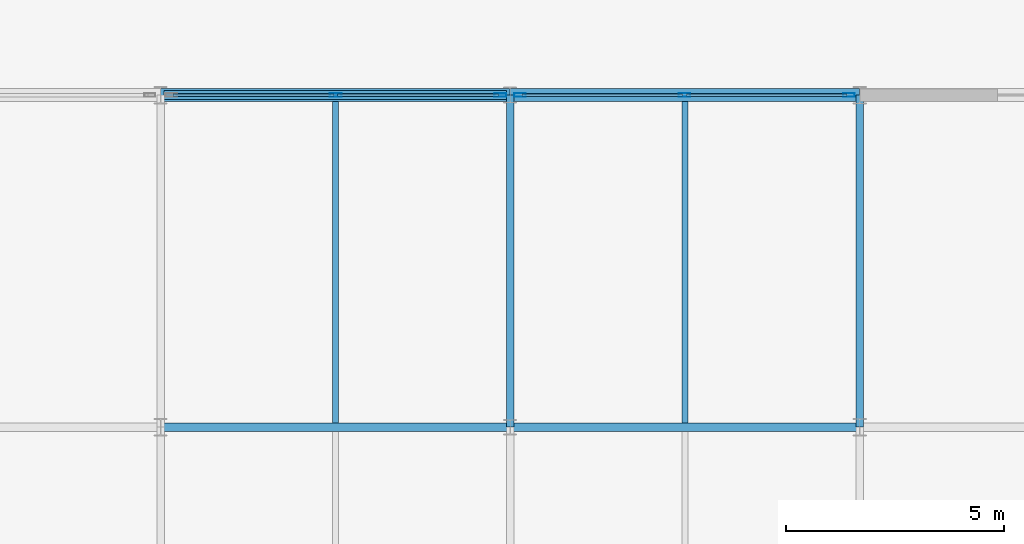
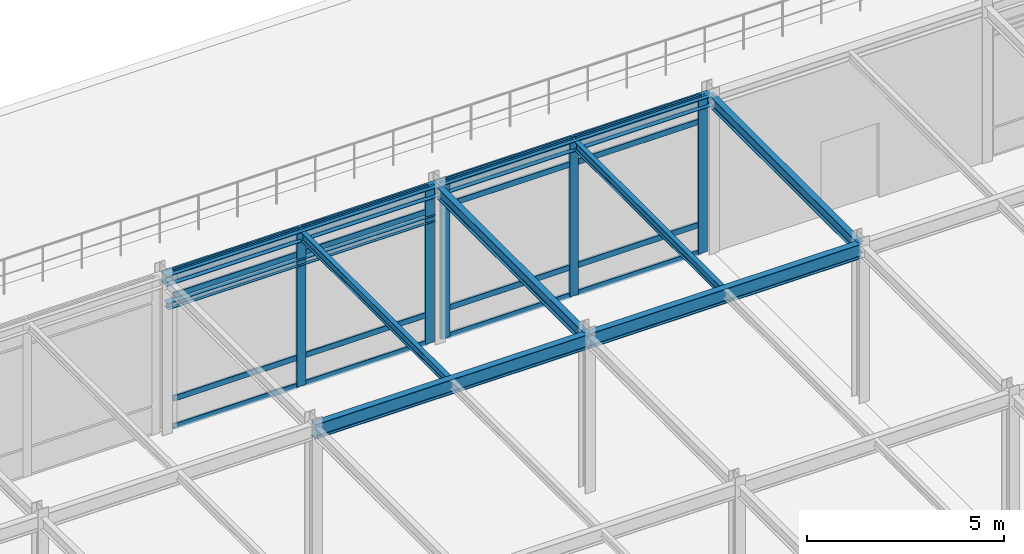
# One storey, part 42 of 79: 21 members, 9 beams, 2 elements without a shape of their own.
"""IFC4 building model written with IfcOpenShell, lengths in metres."""

from ifc_helpers import new_model, si_unit, direction, frame, origin, origin_2d, place, context, subcontext, project, spatial, hollow_rectangle, i_section, extrude, material, layer, layer_set, material_profile, profile_set, type_object, element, aggregate, save


model = new_model("IFC4")

# Units and contexts
model_context = context("Model", 3, precision=1e-05, world=origin(), true_north=direction((0.0, 1.0)))
body_context = subcontext(model_context, "Body", "Model", "MODEL_VIEW")
ifc_project = project(units=[si_unit("LENGTHUNIT", "METRE"), si_unit("AREAUNIT", "SQUARE_METRE"), si_unit("VOLUMEUNIT", "CUBIC_METRE"), si_unit("PLANEANGLEUNIT", "RADIAN"), si_unit("MASSUNIT", "GRAM", prefix="KILO")], contexts=[model_context])

# Site, building, storey
site_placement = place(None, origin())
site = spatial("IfcSite", under=ifc_project, at=site_placement, CompositionType="ELEMENT")
building_placement = place(site_placement, origin())
building = spatial("IfcBuilding", under=site, at=building_placement, Name="Shalkamar Park Central Library", CompositionType="ELEMENT")
storey_placement = place(building_placement, frame((0.0, 0.0, 10.5)))
storey = spatial("IfcBuildingStorey", under=building, at=storey_placement, Name="L03", CompositionType="ELEMENT", Elevation=10.5)

# Beams
ifc_material_1 = material(Name="Steel S355", Category="steel")
ifc_material_profile_1 = material_profile(ifc_material_1, i_section(OverallWidth=0.135009765625, OverallDepth=0.27001953125, WebThickness=0.006591796875, FlangeThickness=0.01025390625, FilletRadius=0.014892578125, at=origin_2d()), Name="IPE 270")
ifc_profile_set_1 = profile_set([ifc_material_profile_1], Name="Steel S355")
beam_type_1 = type_object("IfcBeamType", Name="Composite Floor Joist IPE270", PredefinedType="JOIST", material=ifc_profile_set_1)
for number, where, z_axis, x_axis, name in (
    (1, (217.0, 316.093017578125, 4.705078125), (0.0, 1.0, 0.0), (-1.0, 0.0, 0.0), "Composite Joist 13/L-1 (L03)"),
    (2, (225.0, 316.093017578125, 4.705078125), (0.0, 1.0, 0.0), (-1.0, 0.0, 0.0), "Composite Joist 14/L-1 (L03)"),
):
    element("IfcBeam", number, at=place(storey_placement, frame(where, z_axis=z_axis, x_axis=x_axis)), inside=storey, type_object=beam_type_1, Name=name, PredefinedType="JOIST", context=body_context, shape_type="SweptSolid", body=[
        extrude(i_section(OverallWidth=0.135009765625, OverallDepth=0.27001953125, WebThickness=0.006591796875, FlangeThickness=0.01025390625, FilletRadius=0.014892578125, at=origin_2d()), origin(), (0.0, 0.0, 1.0), 7.35888671875),
    ])

# Curtain wall, members
ifc_material_2 = material(Name="Thermally broken aluminium and triple low-e curtain wall", Category="aluminium")
ifc_layer_1 = layer(ifc_material_2, 0.27001953125)
ifc_layer_set_1 = layer_set([ifc_layer_1], Name="UnitisedCurtainWall_42")
curtain_wall_type_1 = type_object("IfcCurtainWallType", Name="Unitised Curtain Wall 42", PredefinedType="USERDEFINED", material=ifc_layer_set_1)
curtain_wall_1_placement = place(storey_placement, origin())
curtain_wall_1 = element("IfcCurtainWall", 3, at=curtain_wall_1_placement, inside=storey, type_object=curtain_wall_type_1, Name="Unitised Curtain Wall CW-L03-054", ObjectType="UNITISED CURTAIN WALL", PredefinedType="USERDEFINED")
ifc_material_3 = material(Name="Aluminium 6060-T66", Category="aluminium")
ifc_material_profile_2 = material_profile(ifc_material_3, hollow_rectangle(XDim=0.080078125, YDim=0.27001953125, WallThickness=0.0048828125, InnerFilletRadius=0.0048828125, OuterFilletRadius=0.007568359375, at=origin_2d()), Name="ALU 80x270x5")
ifc_profile_set_2 = profile_set([ifc_material_profile_2], Name="Aluminium 6060-T66")
member_type_1 = type_object("IfcMemberType", Name="Curtain Wall Mullion ALU80x270", PredefinedType="MULLION", material=ifc_profile_set_2)
member_1_placement = place(storey_placement, frame((217.010009765625, 323.60009765625, 0.0), z_axis=(0.0, 0.0, 1.0), x_axis=(0.0, 1.0, 0.0)))
member_1 = element("IfcMember", 4, at=member_1_placement, type_object=member_type_1, Name="CW-42 mullion 2", PredefinedType="MULLION", context=body_context, shape_type="SweptSolid", body=[
    extrude(hollow_rectangle(XDim=0.080078125, YDim=0.27001953125, WallThickness=0.0048828125, InnerFilletRadius=0.0048828125, OuterFilletRadius=0.007568359375, at=origin_2d()), origin(), (0.0, 0.0, 1.0), 4.840087890625),
])
member_2_placement = place(storey_placement, frame((220.77587890625, 323.60009765625, 0.0), z_axis=(0.0, 0.0, 1.0), x_axis=(0.0, 1.0, 0.0)))
member_2 = element("IfcMember", 5, at=member_2_placement, type_object=member_type_1, Name="CW-42 mullion 3", PredefinedType="MULLION", context=body_context, shape_type="SweptSolid", body=[
    extrude(hollow_rectangle(XDim=0.080078125, YDim=0.27001953125, WallThickness=0.0048828125, InnerFilletRadius=0.0048828125, OuterFilletRadius=0.007568359375, at=origin_2d()), origin(), (0.0, 0.0, 1.0), 4.840087890625),
])

ifc_layer_2 = layer(ifc_material_2, 0.264892578125)
ifc_layer_set_2 = layer_set([ifc_layer_2], Name="UnitisedCurtainWall_40")
curtain_wall_type_2 = type_object("IfcCurtainWallType", Name="Unitised Curtain Wall 40", PredefinedType="USERDEFINED", material=ifc_layer_set_2)
curtain_wall_2_placement = place(storey_placement, origin())
curtain_wall_2 = element("IfcCurtainWall", 6, at=curtain_wall_2_placement, inside=storey, type_object=curtain_wall_type_2, Name="Unitised Curtain Wall CW-L03-055", ObjectType="UNITISED CURTAIN WALL", PredefinedType="USERDEFINED")
ifc_material_profile_3 = material_profile(ifc_material_3, hollow_rectangle(XDim=0.0849609375, YDim=0.264892578125, WallThickness=0.0048828125, InnerFilletRadius=0.0048828125, OuterFilletRadius=0.007568359375, at=origin_2d()), Name="ALU 85x265x5")
ifc_profile_set_3 = profile_set([ifc_material_profile_3], Name="Aluminium 6060-T66")
member_type_2 = type_object("IfcMemberType", Name="Curtain Wall Mullion ALU85x265", PredefinedType="MULLION", material=ifc_profile_set_3)
member_3_placement = place(storey_placement, frame((221.2265625, 323.60009765625, 0.0), z_axis=(0.0, 0.0, 1.0), x_axis=(0.0, 1.0, 0.0)))
member_3 = element("IfcMember", 7, at=member_3_placement, type_object=member_type_2, Name="CW-40 mullion 1", PredefinedType="MULLION", context=body_context, shape_type="SweptSolid", body=[
    extrude(hollow_rectangle(XDim=0.0849609375, YDim=0.264892578125, WallThickness=0.0048828125, InnerFilletRadius=0.0048828125, OuterFilletRadius=0.007568359375, at=origin_2d()), origin(), (0.0, 0.0, 1.0), 4.840087890625),
])
member_4_placement = place(storey_placement, frame((224.989990234375, 323.60009765625, 0.0), z_axis=(0.0, 0.0, 1.0), x_axis=(0.0, 1.0, 0.0)))
member_4 = element("IfcMember", 8, at=member_4_placement, type_object=member_type_2, Name="CW-40 mullion 2", PredefinedType="MULLION", context=body_context, shape_type="SweptSolid", body=[
    extrude(hollow_rectangle(XDim=0.0849609375, YDim=0.264892578125, WallThickness=0.0048828125, InnerFilletRadius=0.0048828125, OuterFilletRadius=0.007568359375, at=origin_2d()), origin(), (0.0, 0.0, 1.0), 4.840087890625),
])
member_5_placement = place(storey_placement, frame((228.75341796875, 323.60009765625, 0.0), z_axis=(0.0, 0.0, 1.0), x_axis=(0.0, 1.0, 0.0)))
member_5 = element("IfcMember", 9, at=member_5_placement, type_object=member_type_2, Name="CW-40 mullion 3", PredefinedType="MULLION", context=body_context, shape_type="SweptSolid", body=[
    extrude(hollow_rectangle(XDim=0.0849609375, YDim=0.264892578125, WallThickness=0.0048828125, InnerFilletRadius=0.0048828125, OuterFilletRadius=0.007568359375, at=origin_2d()), origin(), (0.0, 0.0, 1.0), 4.840087890625),
])

# Member
ifc_material_profile_4 = material_profile(ifc_material_3, hollow_rectangle(XDim=0.06494140625, YDim=0.175048828125, WallThickness=0.00439453125, InnerFilletRadius=0.00439453125, OuterFilletRadius=0.0068359375, at=origin_2d()), Name="ALU 65x175x4.5")
ifc_profile_set_4 = profile_set([ifc_material_profile_4], Name="Aluminium 6060-T66")
member_type_3 = type_object("IfcMemberType", Name="Curtain Wall Transom ALU65x175", PredefinedType="USERDEFINED", material=ifc_profile_set_4)
member_6_placement = place(storey_placement, frame((213.283935546875, 323.60009765625, 0.032470703125), z_axis=(1.0, 0.0, 0.0), x_axis=(0.0, 1.0, 0.0)))
member_6 = element("IfcMember", 10, at=member_6_placement, type_object=member_type_3, Name="CW-42 transom 1.1", ObjectType="TRANSOM", PredefinedType="USERDEFINED", context=body_context, shape_type="SweptSolid", body=[
    extrude(hollow_rectangle(XDim=0.06494140625, YDim=0.175048828125, WallThickness=0.00439453125, InnerFilletRadius=0.00439453125, OuterFilletRadius=0.0068359375, at=origin_2d()), origin(), (0.0, 0.0, 1.0), 3.68603515625),
])

member_7_placement = place(storey_placement, frame((213.283935546875, 323.60009765625, 0.89990234375), z_axis=(1.0, 0.0, 0.0), x_axis=(0.0, 1.0, 0.0)))
member_7 = element("IfcMember", 11, at=member_7_placement, type_object=member_type_3, Name="CW-42 transom 1.2", ObjectType="TRANSOM", PredefinedType="USERDEFINED", context=body_context, shape_type="SweptSolid", body=[
    extrude(hollow_rectangle(XDim=0.06494140625, YDim=0.175048828125, WallThickness=0.00439453125, InnerFilletRadius=0.00439453125, OuterFilletRadius=0.0068359375, at=origin_2d()), origin(), (0.0, 0.0, 1.0), 3.68603515625),
])

member_8_placement = place(storey_placement, frame((213.283935546875, 323.60009765625, 4.090087890625), z_axis=(1.0, 0.0, 0.0), x_axis=(0.0, 1.0, 0.0)))
member_8 = element("IfcMember", 12, at=member_8_placement, type_object=member_type_3, Name="CW-42 transom 1.3", ObjectType="TRANSOM", PredefinedType="USERDEFINED", context=body_context, shape_type="SweptSolid", body=[
    extrude(hollow_rectangle(XDim=0.06494140625, YDim=0.175048828125, WallThickness=0.00439453125, InnerFilletRadius=0.00439453125, OuterFilletRadius=0.0068359375, at=origin_2d()), origin(), (0.0, 0.0, 1.0), 3.68603515625),
])

member_9_placement = place(storey_placement, frame((213.283935546875, 323.60009765625, 4.8076171875), z_axis=(1.0, 0.0, 0.0), x_axis=(0.0, 1.0, 0.0)))
member_9 = element("IfcMember", 13, at=member_9_placement, type_object=member_type_3, Name="CW-42 transom 1.4", ObjectType="TRANSOM", PredefinedType="USERDEFINED", context=body_context, shape_type="SweptSolid", body=[
    extrude(hollow_rectangle(XDim=0.06494140625, YDim=0.175048828125, WallThickness=0.00439453125, InnerFilletRadius=0.00439453125, OuterFilletRadius=0.0068359375, at=origin_2d()), origin(), (0.0, 0.0, 1.0), 3.68603515625),
])

member_10_placement = place(storey_placement, frame((217.050048828125, 323.60009765625, 0.032470703125), z_axis=(1.0, 0.0, 0.0), x_axis=(0.0, 1.0, 0.0)))
member_10 = element("IfcMember", 14, at=member_10_placement, type_object=member_type_3, Name="CW-42 transom 2.1", ObjectType="TRANSOM", PredefinedType="USERDEFINED", context=body_context, shape_type="SweptSolid", body=[
    extrude(hollow_rectangle(XDim=0.06494140625, YDim=0.175048828125, WallThickness=0.00439453125, InnerFilletRadius=0.00439453125, OuterFilletRadius=0.0068359375, at=origin_2d()), origin(), (0.0, 0.0, 1.0), 3.68603515625),
])

member_11_placement = place(storey_placement, frame((217.050048828125, 323.60009765625, 0.89990234375), z_axis=(1.0, 0.0, 0.0), x_axis=(0.0, 1.0, 0.0)))
member_11 = element("IfcMember", 15, at=member_11_placement, type_object=member_type_3, Name="CW-42 transom 2.2", ObjectType="TRANSOM", PredefinedType="USERDEFINED", context=body_context, shape_type="SweptSolid", body=[
    extrude(hollow_rectangle(XDim=0.06494140625, YDim=0.175048828125, WallThickness=0.00439453125, InnerFilletRadius=0.00439453125, OuterFilletRadius=0.0068359375, at=origin_2d()), origin(), (0.0, 0.0, 1.0), 3.68603515625),
])

member_12_placement = place(storey_placement, frame((217.050048828125, 323.60009765625, 4.090087890625), z_axis=(1.0, 0.0, 0.0), x_axis=(0.0, 1.0, 0.0)))
member_12 = element("IfcMember", 16, at=member_12_placement, type_object=member_type_3, Name="CW-42 transom 2.3", ObjectType="TRANSOM", PredefinedType="USERDEFINED", context=body_context, shape_type="SweptSolid", body=[
    extrude(hollow_rectangle(XDim=0.06494140625, YDim=0.175048828125, WallThickness=0.00439453125, InnerFilletRadius=0.00439453125, OuterFilletRadius=0.0068359375, at=origin_2d()), origin(), (0.0, 0.0, 1.0), 3.68603515625),
])

member_13_placement = place(storey_placement, frame((217.050048828125, 323.60009765625, 4.8076171875), z_axis=(1.0, 0.0, 0.0), x_axis=(0.0, 1.0, 0.0)))
member_13 = element("IfcMember", 17, at=member_13_placement, type_object=member_type_3, Name="CW-42 transom 2.4", ObjectType="TRANSOM", PredefinedType="USERDEFINED", context=body_context, shape_type="SweptSolid", body=[
    extrude(hollow_rectangle(XDim=0.06494140625, YDim=0.175048828125, WallThickness=0.00439453125, InnerFilletRadius=0.00439453125, OuterFilletRadius=0.0068359375, at=origin_2d()), origin(), (0.0, 0.0, 1.0), 3.68603515625),
])

aggregate(curtain_wall_1, [member_1, member_2, member_6, member_7, member_8, member_9, member_10, member_11, member_12, member_13])

ifc_material_profile_5 = material_profile(ifc_material_3, hollow_rectangle(XDim=0.070068359375, YDim=0.179931640625, WallThickness=0.00439453125, InnerFilletRadius=0.00439453125, OuterFilletRadius=0.0068359375, at=origin_2d()), Name="ALU 70x180x4.5")
ifc_profile_set_5 = profile_set([ifc_material_profile_5], Name="Aluminium 6060-T66")
member_type_4 = type_object("IfcMemberType", Name="Curtain Wall Transom ALU70x180", PredefinedType="USERDEFINED", material=ifc_profile_set_5)
member_14_placement = place(storey_placement, frame((221.26904296875, 323.60009765625, 0.034912109375), z_axis=(1.0, 0.0, 0.0), x_axis=(0.0, 1.0, 0.0)))
member_14 = element("IfcMember", 18, at=member_14_placement, type_object=member_type_4, Name="CW-40 transom 1.1", ObjectType="TRANSOM", PredefinedType="USERDEFINED", context=body_context, shape_type="SweptSolid", body=[
    extrude(hollow_rectangle(XDim=0.070068359375, YDim=0.179931640625, WallThickness=0.00439453125, InnerFilletRadius=0.00439453125, OuterFilletRadius=0.0068359375, at=origin_2d()), origin(), (0.0, 0.0, 1.0), 3.678466796875),
])

member_15_placement = place(storey_placement, frame((221.26904296875, 323.60009765625, 0.89990234375), z_axis=(1.0, 0.0, 0.0), x_axis=(0.0, 1.0, 0.0)))
member_15 = element("IfcMember", 19, at=member_15_placement, type_object=member_type_4, Name="CW-40 transom 1.2", ObjectType="TRANSOM", PredefinedType="USERDEFINED", context=body_context, shape_type="SweptSolid", body=[
    extrude(hollow_rectangle(XDim=0.070068359375, YDim=0.179931640625, WallThickness=0.00439453125, InnerFilletRadius=0.00439453125, OuterFilletRadius=0.0068359375, at=origin_2d()), origin(), (0.0, 0.0, 1.0), 3.678466796875),
])

member_16_placement = place(storey_placement, frame((221.26904296875, 323.60009765625, 4.090087890625), z_axis=(1.0, 0.0, 0.0), x_axis=(0.0, 1.0, 0.0)))
member_16 = element("IfcMember", 20, at=member_16_placement, type_object=member_type_4, Name="CW-40 transom 1.3", ObjectType="TRANSOM", PredefinedType="USERDEFINED", context=body_context, shape_type="SweptSolid", body=[
    extrude(hollow_rectangle(XDim=0.070068359375, YDim=0.179931640625, WallThickness=0.00439453125, InnerFilletRadius=0.00439453125, OuterFilletRadius=0.0068359375, at=origin_2d()), origin(), (0.0, 0.0, 1.0), 3.678466796875),
])

member_17_placement = place(storey_placement, frame((221.26904296875, 323.60009765625, 4.804931640625), z_axis=(1.0, 0.0, 0.0), x_axis=(0.0, 1.0, 0.0)))
member_17 = element("IfcMember", 21, at=member_17_placement, type_object=member_type_4, Name="CW-40 transom 1.4", ObjectType="TRANSOM", PredefinedType="USERDEFINED", context=body_context, shape_type="SweptSolid", body=[
    extrude(hollow_rectangle(XDim=0.070068359375, YDim=0.179931640625, WallThickness=0.00439453125, InnerFilletRadius=0.00439453125, OuterFilletRadius=0.0068359375, at=origin_2d()), origin(), (0.0, 0.0, 1.0), 3.678466796875),
])

member_18_placement = place(storey_placement, frame((225.032470703125, 323.60009765625, 0.034912109375), z_axis=(1.0, 0.0, 0.0), x_axis=(0.0, 1.0, 0.0)))
member_18 = element("IfcMember", 22, at=member_18_placement, type_object=member_type_4, Name="CW-40 transom 2.1", ObjectType="TRANSOM", PredefinedType="USERDEFINED", context=body_context, shape_type="SweptSolid", body=[
    extrude(hollow_rectangle(XDim=0.070068359375, YDim=0.179931640625, WallThickness=0.00439453125, InnerFilletRadius=0.00439453125, OuterFilletRadius=0.0068359375, at=origin_2d()), origin(), (0.0, 0.0, 1.0), 3.678466796875),
])

member_19_placement = place(storey_placement, frame((225.032470703125, 323.60009765625, 0.89990234375), z_axis=(1.0, 0.0, 0.0), x_axis=(0.0, 1.0, 0.0)))
member_19 = element("IfcMember", 23, at=member_19_placement, type_object=member_type_4, Name="CW-40 transom 2.2", ObjectType="TRANSOM", PredefinedType="USERDEFINED", context=body_context, shape_type="SweptSolid", body=[
    extrude(hollow_rectangle(XDim=0.070068359375, YDim=0.179931640625, WallThickness=0.00439453125, InnerFilletRadius=0.00439453125, OuterFilletRadius=0.0068359375, at=origin_2d()), origin(), (0.0, 0.0, 1.0), 3.678466796875),
])

member_20_placement = place(storey_placement, frame((225.032470703125, 323.60009765625, 4.090087890625), z_axis=(1.0, 0.0, 0.0), x_axis=(0.0, 1.0, 0.0)))
member_20 = element("IfcMember", 24, at=member_20_placement, type_object=member_type_4, Name="CW-40 transom 2.3", ObjectType="TRANSOM", PredefinedType="USERDEFINED", context=body_context, shape_type="SweptSolid", body=[
    extrude(hollow_rectangle(XDim=0.070068359375, YDim=0.179931640625, WallThickness=0.00439453125, InnerFilletRadius=0.00439453125, OuterFilletRadius=0.0068359375, at=origin_2d()), origin(), (0.0, 0.0, 1.0), 3.678466796875),
])

member_21_placement = place(storey_placement, frame((225.032470703125, 323.60009765625, 4.804931640625), z_axis=(1.0, 0.0, 0.0), x_axis=(0.0, 1.0, 0.0)))
member_21 = element("IfcMember", 25, at=member_21_placement, type_object=member_type_4, Name="CW-40 transom 2.4", ObjectType="TRANSOM", PredefinedType="USERDEFINED", context=body_context, shape_type="SweptSolid", body=[
    extrude(hollow_rectangle(XDim=0.070068359375, YDim=0.179931640625, WallThickness=0.00439453125, InnerFilletRadius=0.00439453125, OuterFilletRadius=0.0068359375, at=origin_2d()), origin(), (0.0, 0.0, 1.0), 3.678466796875),
])

aggregate(curtain_wall_2, [member_3, member_4, member_5, member_14, member_15, member_16, member_17, member_18, member_19, member_20, member_21])

# Beams
ifc_material_profile_6 = material_profile(ifc_material_1, i_section(OverallWidth=0.199951171875, OverallDepth=0.18994140625, WebThickness=0.006591796875, FlangeThickness=0.010009765625, FilletRadius=0.01806640625, at=origin_2d()), Name="HEA 200")
ifc_profile_set_6 = profile_set([ifc_material_profile_6], Name="Steel S355")
beam_type_2 = type_object("IfcBeamType", Name="Opening Lintel Beam HEA200", PredefinedType="LINTEL", material=ifc_profile_set_6)
beam_placement = place(storey_placement, frame((213.080078125, 323.60009765625, 3.85009765625), z_axis=(1.0, 0.0, 0.0), x_axis=(0.0, 1.0, 0.0)))
element("IfcBeam", 26, at=beam_placement, inside=storey, type_object=beam_type_2, Name="Opening Lintel L03-33", PredefinedType="LINTEL", context=body_context, shape_type="SweptSolid", body=[
    extrude(i_section(OverallWidth=0.199951171875, OverallDepth=0.18994140625, WebThickness=0.006591796875, FlangeThickness=0.010009765625, FilletRadius=0.01806640625, at=origin_2d()), origin(), (0.0, 0.0, 1.0), 7.83984375),
])
ifc_material_profile_7 = material_profile(ifc_material_1, i_section(OverallWidth=0.300048828125, OverallDepth=0.31005859375, WebThickness=0.009033203125, FlangeThickness=0.015380859375, FilletRadius=0.027099609375, at=origin_2d()), Name="HEA 320")
ifc_profile_set_7 = profile_set([ifc_material_profile_7], Name="Steel S355")
beam_type_3 = type_object("IfcBeamType", Name="Perimeter Spandrel Beam HEA320", PredefinedType="SPANDREL", material=ifc_profile_set_7)
for number, where, z_axis, x_axis, name in (
    (27, (213.0, 323.60009765625, 4.68505859375), (1.0, 0.0, 0.0), (0.0, 1.0, 0.0), "Beam M:13-14 (L03)"),
    (28, (221.0, 323.60009765625, 4.68505859375), (1.0, 0.0, 0.0), (0.0, 1.0, 0.0), "Beam M:14-15 (L03)"),
):
    element("IfcBeam", number, at=place(storey_placement, frame(where, z_axis=z_axis, x_axis=x_axis)), inside=storey, type_object=beam_type_3, Name=name, PredefinedType="SPANDREL", context=body_context, shape_type="SweptSolid", body=[
        extrude(i_section(OverallWidth=0.300048828125, OverallDepth=0.31005859375, WebThickness=0.009033203125, FlangeThickness=0.015380859375, FilletRadius=0.027099609375, at=origin_2d()), origin(), (0.0, 0.0, 1.0), 8.0),
    ])
ifc_material_profile_8 = material_profile(ifc_material_1, i_section(OverallWidth=0.169921875, OverallDepth=0.360107421875, WebThickness=0.008056640625, FlangeThickness=0.0126953125, FilletRadius=0.01806640625, at=origin_2d()), Name="IPE 360")
ifc_profile_set_8 = profile_set([ifc_material_profile_8], Name="Steel S355")
beam_type_4 = type_object("IfcBeamType", Name="Primary Girder IPE360", PredefinedType="BEAM", material=ifc_profile_set_8)
for number, where, z_axis, x_axis, name in (
    (29, (221.0, 316.0, 4.659912109375), (0.0, 1.0, 0.0), (-1.0, 0.0, 0.0), "Beam 14:L-M (L03)"),
    (30, (229.0, 316.0, 4.659912109375), (0.0, 1.0, 0.0), (-1.0, 0.0, 0.0), "Beam 15:L-M (L03)"),
):
    element("IfcBeam", number, at=place(storey_placement, frame(where, z_axis=z_axis, x_axis=x_axis)), inside=storey, type_object=beam_type_4, Name=name, PredefinedType="BEAM", context=body_context, shape_type="SweptSolid", body=[
        extrude(i_section(OverallWidth=0.169921875, OverallDepth=0.360107421875, WebThickness=0.008056640625, FlangeThickness=0.0126953125, FilletRadius=0.01806640625, at=origin_2d()), origin(), (0.0, 0.0, 1.0), 7.60009765625),
    ])
ifc_material_profile_9 = material_profile(ifc_material_1, i_section(OverallWidth=0.18994140625, OverallDepth=0.449951171875, WebThickness=0.009521484375, FlangeThickness=0.0146484375, FilletRadius=0.02099609375, at=origin_2d()), Name="IPE 450")
ifc_profile_set_9 = profile_set([ifc_material_profile_9], Name="Steel S355")
beam_type_5 = type_object("IfcBeamType", Name="Primary Girder IPE450", PredefinedType="BEAM", material=ifc_profile_set_9)
for number, where, z_axis, x_axis, name in (
    (31, (213.0, 316.0, 4.614990234375), (1.0, 0.0, 0.0), (0.0, 1.0, 0.0), "Beam L:13-14 (L03)"),
    (32, (221.0, 316.0, 4.614990234375), (1.0, 0.0, 0.0), (0.0, 1.0, 0.0), "Beam L:14-15 (L03)"),
):
    element("IfcBeam", number, at=place(storey_placement, frame(where, z_axis=z_axis, x_axis=x_axis)), inside=storey, type_object=beam_type_5, Name=name, PredefinedType="BEAM", context=body_context, shape_type="SweptSolid", body=[
        extrude(i_section(OverallWidth=0.18994140625, OverallDepth=0.449951171875, WebThickness=0.009521484375, FlangeThickness=0.0146484375, FilletRadius=0.02099609375, at=origin_2d()), origin(), (0.0, 0.0, 1.0), 8.0),
    ])

save(model, "model.ifc")
